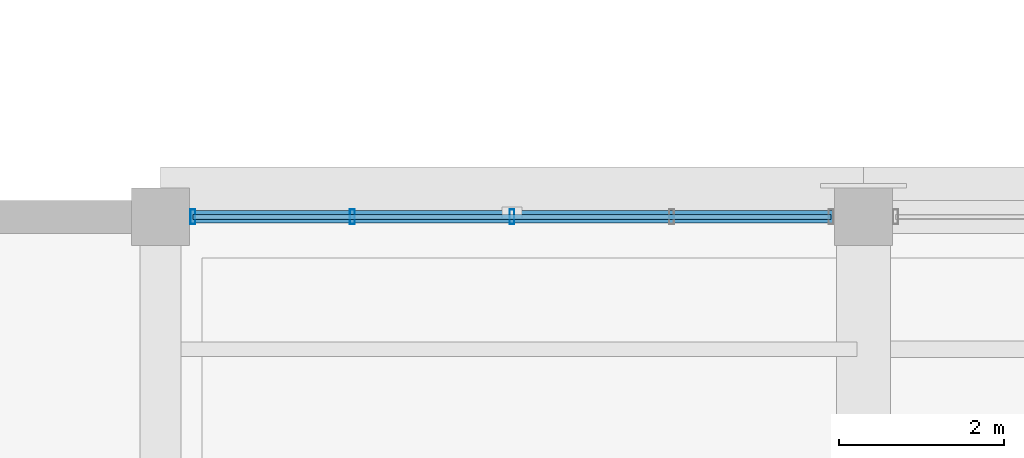
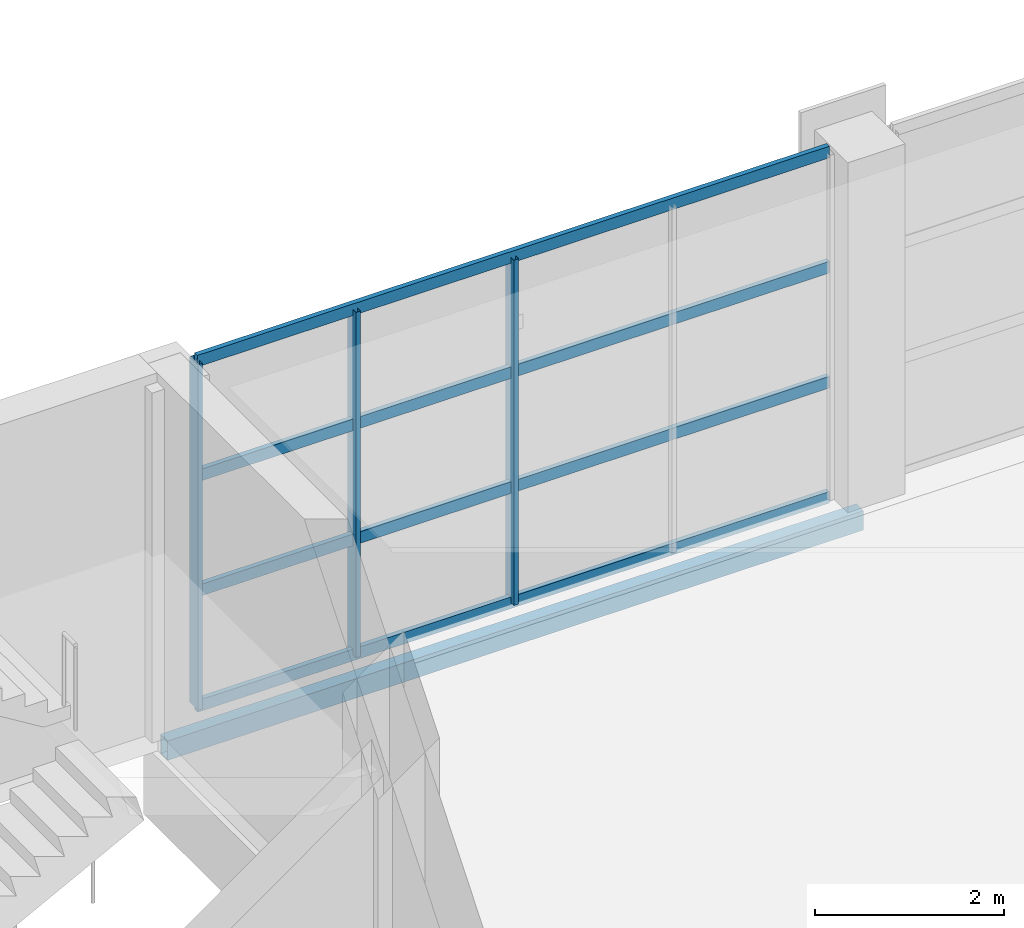
# One storey, part 19 of 112: 7 members, 1 beam, 1 element without a shape of its own.
"""IFC4 building model written with IfcOpenShell, lengths in metres."""

from ifc_helpers import new_model, si_unit, direction, frame, origin, origin_2d, place, context, subcontext, project, spatial, hollow_rectangle, extrude, material, material_profile, profile_set, type_object, element, aggregate, save


model = new_model("IFC4")

# Units and contexts
model_context = context("Model", 3, precision=1e-05, world=origin(), true_north=direction((0.0, 1.0)))
body_context = subcontext(model_context, "Body", "Model", "MODEL_VIEW")
ifc_project = project(units=[si_unit("LENGTHUNIT", "METRE"), si_unit("AREAUNIT", "SQUARE_METRE"), si_unit("VOLUMEUNIT", "CUBIC_METRE"), si_unit("PLANEANGLEUNIT", "RADIAN"), si_unit("MASSUNIT", "GRAM", prefix="KILO")], contexts=[model_context])

# Site, building, storey
site_placement = place(None, origin())
site = spatial("IfcSite", under=ifc_project, at=site_placement, CompositionType="ELEMENT")
building_placement = place(site_placement, origin())
building = spatial("IfcBuilding", under=site, at=building_placement, Name="Solvikara Media Centre", CompositionType="ELEMENT")
storey_placement = place(building_placement, frame((0.0, 0.0, 5.39990234375)))
storey = spatial("IfcBuildingStorey", under=building, at=storey_placement, Name="L01", CompositionType="ELEMENT", Elevation=5.39990234375)

# Beam
ifc_material_1 = material(Name="Steel S355JR", Category="steel")
ifc_material_profile_1 = material_profile(ifc_material_1, hollow_rectangle(XDim=0.14990234375, YDim=0.25, WallThickness=0.008056640625, at=origin_2d()), Name="RHS 250x150x8")
ifc_profile_set_1 = profile_set([ifc_material_profile_1], Name="Steel S355JR")
beam_type = type_object("IfcBeamType", Name="BM-36", PredefinedType="JOIST", material=ifc_profile_set_1)
beam_placement = place(storey_placement, frame((42.5, 36.800048828125, -0.386962890625), z_axis=(1.0, 0.0, 0.0), x_axis=(0.0, 1.0, 0.0)))
element("IfcBeam", 1, at=beam_placement, inside=storey, type_object=beam_type, Name="B-L01-X0480", PredefinedType="JOIST", context=body_context, shape_type="SweptSolid", body=[
    extrude(hollow_rectangle(XDim=0.14990234375, YDim=0.25, WallThickness=0.008056640625, at=origin_2d()), origin(), (0.0, 0.0, 1.0), 8.5),
])

# Curtain wall, members
ifc_material_2 = material(Name="Anodised aluminium EN AW-6063", Category="aluminium")
curtain_wall_type = type_object("IfcCurtainWallType", Name="CW-05", PredefinedType="NOTDEFINED", material=ifc_material_2)
curtain_wall_placement = place(storey_placement, origin())
curtain_wall = element("IfcCurtainWall", 2, at=curtain_wall_placement, inside=storey, type_object=curtain_wall_type, Name="CW-L01-V6N-1", PredefinedType="NOTDEFINED")
ifc_material_profile_2 = material_profile(ifc_material_2, hollow_rectangle(XDim=0.06005859375, YDim=0.179931640625, WallThickness=0.00341796875, at=origin_2d()), Name="ALU-M 60x180x3.5")
ifc_profile_set_2 = profile_set([ifc_material_profile_2], Name="Anodised aluminium EN AW-6063")
member_type_1 = type_object("IfcMemberType", Name="MF-03", PredefinedType="MULLION", material=ifc_profile_set_2)
member_1_placement = place(storey_placement, frame((42.889892578125, 36.800048828125, 0.02001953125), z_axis=(0.0, 0.0, 1.0), x_axis=(1.0, 0.0, 0.0)))
member_1 = element("IfcMember", 3, at=member_1_placement, type_object=member_type_1, Name="CW-L01-V6N-1-M00", PredefinedType="MULLION", context=body_context, shape_type="SweptSolid", body=[
    extrude(hollow_rectangle(XDim=0.06005859375, YDim=0.179931640625, WallThickness=0.00341796875, at=origin_2d()), origin(), (0.0, 0.0, 1.0), 4.4599609375),
])
member_2_placement = place(storey_placement, frame((44.820068359375, 36.800048828125, 0.02001953125), z_axis=(0.0, 0.0, 1.0), x_axis=(1.0, 0.0, 0.0)))
member_2 = element("IfcMember", 4, at=member_2_placement, type_object=member_type_1, Name="CW-L01-V6N-1-M01", PredefinedType="MULLION", context=body_context, shape_type="SweptSolid", body=[
    extrude(hollow_rectangle(XDim=0.06005859375, YDim=0.179931640625, WallThickness=0.00341796875, at=origin_2d()), origin(), (0.0, 0.0, 1.0), 4.4599609375),
])
member_3_placement = place(storey_placement, frame((46.75, 36.800048828125, 0.02001953125), z_axis=(0.0, 0.0, 1.0), x_axis=(1.0, 0.0, 0.0)))
member_3 = element("IfcMember", 5, at=member_3_placement, type_object=member_type_1, Name="CW-L01-V6N-1-M02", PredefinedType="MULLION", context=body_context, shape_type="SweptSolid", body=[
    extrude(hollow_rectangle(XDim=0.06005859375, YDim=0.179931640625, WallThickness=0.00341796875, at=origin_2d()), origin(), (0.0, 0.0, 1.0), 4.4599609375),
])
ifc_material_profile_3 = material_profile(ifc_material_2, hollow_rectangle(XDim=0.06005859375, YDim=0.14990234375, WallThickness=0.0029296875, at=origin_2d()), Name="ALU-T 60x150x3")
ifc_profile_set_3 = profile_set([ifc_material_profile_3], Name="Anodised aluminium EN AW-6063")
member_type_2 = type_object("IfcMemberType", Name="MF-09", PredefinedType="USERDEFINED", material=ifc_profile_set_3)
member_4_placement = place(storey_placement, frame((42.889892578125, 36.800048828125, 0.02001953125), z_axis=(1.0, 0.0, 0.0), x_axis=(0.0, 1.0, 0.0)))
member_4 = element("IfcMember", 6, at=member_4_placement, type_object=member_type_2, Name="CW-L01-V6N-1-T00", ObjectType="TRANSOM", PredefinedType="USERDEFINED", context=body_context, shape_type="SweptSolid", body=[
    extrude(hollow_rectangle(XDim=0.06005859375, YDim=0.14990234375, WallThickness=0.0029296875, at=origin_2d()), origin(), (0.0, 0.0, 1.0), 7.72021484375),
])
member_5_placement = place(storey_placement, frame((42.889892578125, 36.800048828125, 1.507080078125), z_axis=(1.0, 0.0, 0.0), x_axis=(0.0, 1.0, 0.0)))
member_5 = element("IfcMember", 7, at=member_5_placement, type_object=member_type_2, Name="CW-L01-V6N-1-T01", ObjectType="TRANSOM", PredefinedType="USERDEFINED", context=body_context, shape_type="SweptSolid", body=[
    extrude(hollow_rectangle(XDim=0.06005859375, YDim=0.14990234375, WallThickness=0.0029296875, at=origin_2d()), origin(), (0.0, 0.0, 1.0), 7.72021484375),
])
member_6_placement = place(storey_placement, frame((42.889892578125, 36.800048828125, 2.9931640625), z_axis=(1.0, 0.0, 0.0), x_axis=(0.0, 1.0, 0.0)))
member_6 = element("IfcMember", 8, at=member_6_placement, type_object=member_type_2, Name="CW-L01-V6N-1-T02", ObjectType="TRANSOM", PredefinedType="USERDEFINED", context=body_context, shape_type="SweptSolid", body=[
    extrude(hollow_rectangle(XDim=0.06005859375, YDim=0.14990234375, WallThickness=0.0029296875, at=origin_2d()), origin(), (0.0, 0.0, 1.0), 7.72021484375),
])
member_7_placement = place(storey_placement, frame((42.889892578125, 36.800048828125, 4.47998046875), z_axis=(1.0, 0.0, 0.0), x_axis=(0.0, 1.0, 0.0)))
member_7 = element("IfcMember", 9, at=member_7_placement, type_object=member_type_2, Name="CW-L01-V6N-1-T03", ObjectType="TRANSOM", PredefinedType="USERDEFINED", context=body_context, shape_type="SweptSolid", body=[
    extrude(hollow_rectangle(XDim=0.06005859375, YDim=0.14990234375, WallThickness=0.0029296875, at=origin_2d()), origin(), (0.0, 0.0, 1.0), 7.72021484375),
])
aggregate(curtain_wall, [member_1, member_2, member_3, member_4, member_5, member_6, member_7])

save(model, "model.ifc")
